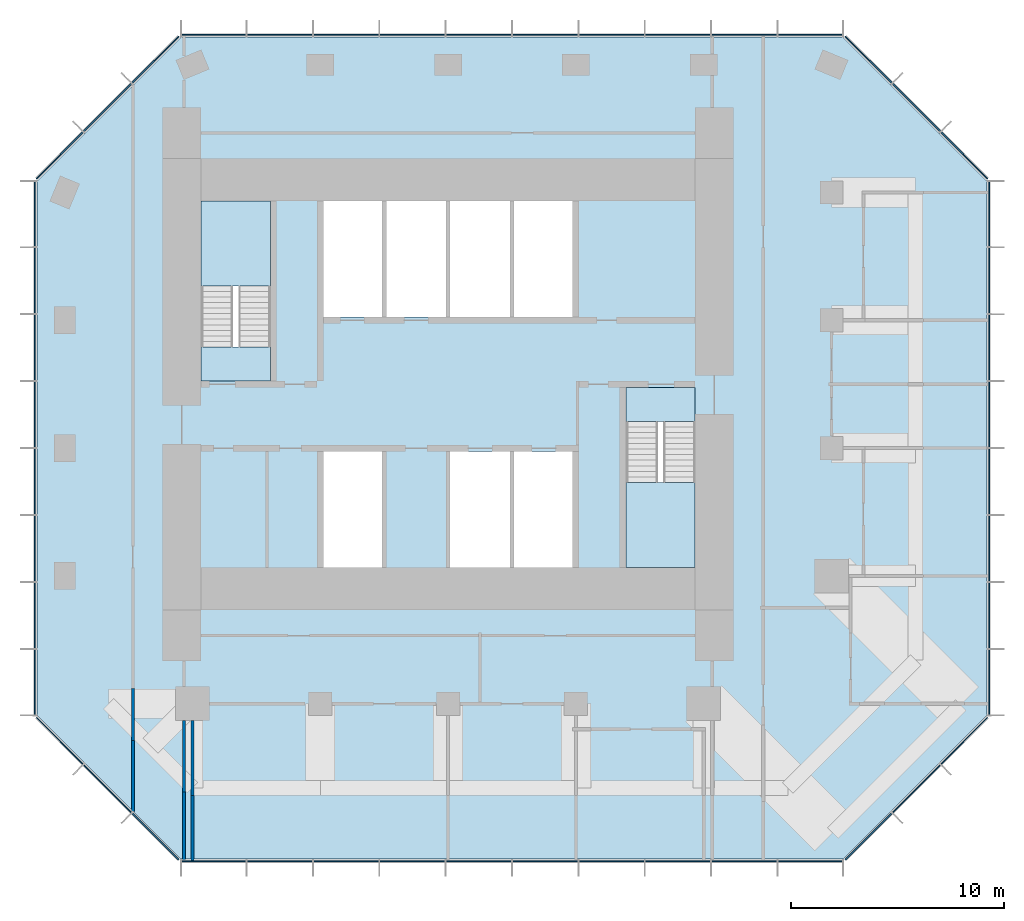
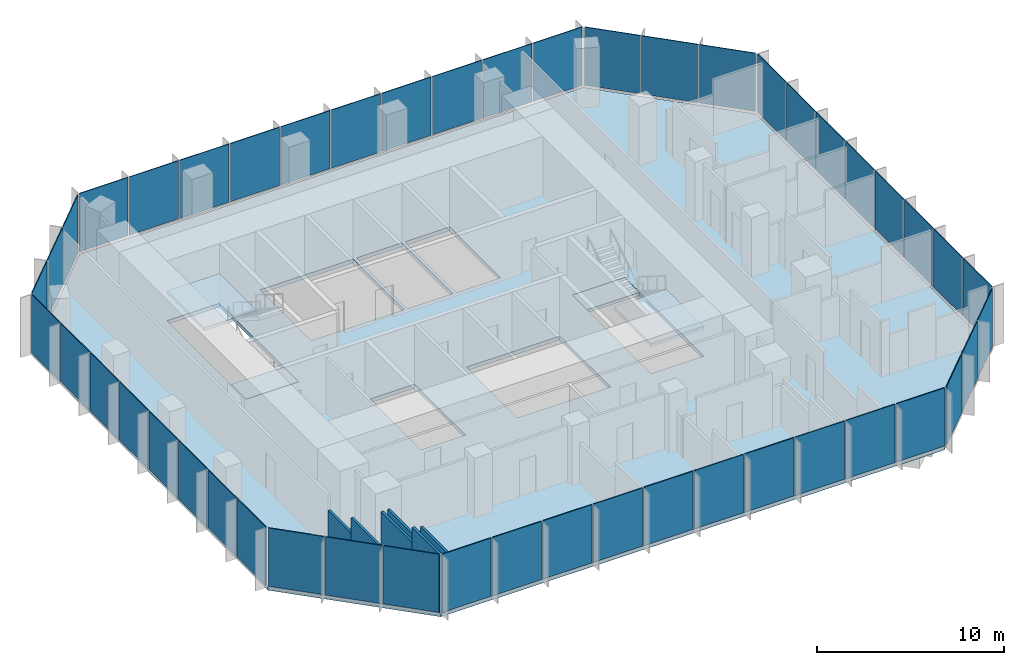
# One storey, part 7 of 11: 48 plates, 6 walls, 5 slabs, 10 elements without a shape of their own.
"""IFC4 building model written with IfcOpenShell, lengths in metres."""

from ifc_helpers import new_model, si_unit, direction, frame, frame_2d, origin, origin_2d, place, context, subcontext, project, spatial, polyline, rectangle, outline, extrude, material, layer, layer_set, type_object, element, aggregate, save


model = new_model("IFC4")

# Units and contexts
model_context = context("Model", 3, precision=1e-05, world=origin(), true_north=direction((0.0, 1.0)))
body_context = subcontext(model_context, "Body", "Model", "MODEL_VIEW")
ifc_project = project(units=[si_unit("LENGTHUNIT", "METRE"), si_unit("AREAUNIT", "SQUARE_METRE"), si_unit("VOLUMEUNIT", "CUBIC_METRE"), si_unit("PLANEANGLEUNIT", "RADIAN"), si_unit("MASSUNIT", "GRAM", prefix="KILO")], contexts=[model_context])

# Site, building, storey
site_placement = place(None, origin())
site = spatial("IfcSite", under=ifc_project, at=site_placement, CompositionType="ELEMENT")
building_placement = place(site_placement, origin())
building = spatial("IfcBuilding", under=site, at=building_placement, Name="Highveld Stack Headquarters", CompositionType="ELEMENT")
storey_placement = place(building_placement, frame((0.0, 0.0, 284.0)))
storey = spatial("IfcBuildingStorey", under=building, at=storey_placement, Name="L70", CompositionType="ELEMENT", Elevation=284.0)

# Curtain wall, plates
ifc_material_1 = material(Name="Aluminium bronze anodised", Category="aluminium")
ifc_layer_1 = layer(ifc_material_1, 0.199951171875)
ifc_layer_set_1 = layer_set([ifc_layer_1], Name="Aluminium bronze anodised")
curtain_wall_type = type_object("IfcCurtainWallType", Name="CW5 EXECUTIVE UNITISED CURTAIN WALL", PredefinedType="NOTDEFINED", material=ifc_layer_set_1)
curtain_wall_1_placement = place(storey_placement, origin())
curtain_wall_1 = element("IfcCurtainWall", 1, at=curtain_wall_1_placement, inside=storey, type_object=curtain_wall_type, Name="Curtain wall CW5 L70 S", PredefinedType="NOTDEFINED")
ifc_material_2 = material(Name="Glass bronze tinted triple glazed unit", Category="glass")
ifc_layer_2 = layer(ifc_material_2, 0.050048828125)
ifc_layer_set_2 = layer_set([ifc_layer_2], Name="Glass bronze tinted triple glazed unit")
plate_type = type_object("IfcPlateType", Name="CW5 PANEL BRONZE TINTED TRIPLE GLAZED UNIT", PredefinedType="CURTAIN_PANEL", material=ifc_layer_set_2)
plate_1_placement = place(storey_placement, frame((-5.005615234375, -19.39990234375, 0.10009765625), z_axis=(0.0, 0.0, 1.0), x_axis=(1.0, 0.0, 0.0)))
plate_1 = element("IfcPlate", 2, at=plate_1_placement, type_object=plate_type, Name="CW5 panel L70 1.1", PredefinedType="CURTAIN_PANEL", context=body_context, shape_type="SweptSolid", body=[
    extrude(rectangle(XDim=3.0185546875, YDim=0.050048828125, at=origin_2d()), origin(), (0.0, 0.0, 1.0), 3.800048828125),
])
plate_2_placement = place(storey_placement, frame((-1.906005859375, -19.39990234375, 0.10009765625), z_axis=(0.0, 0.0, 1.0), x_axis=(1.0, 0.0, 0.0)))
plate_2 = element("IfcPlate", 3, at=plate_2_placement, type_object=plate_type, Name="CW5 panel L70 2.1", PredefinedType="CURTAIN_PANEL", context=body_context, shape_type="SweptSolid", body=[
    extrude(rectangle(XDim=3.051025390625, YDim=0.050048828125, at=origin_2d()), origin(), (0.0, 0.0, 1.0), 3.800048828125),
])
plate_3_placement = place(storey_placement, frame((1.2099609375, -19.39990234375, 0.10009765625), z_axis=(0.0, 0.0, 1.0), x_axis=(1.0, 0.0, 0.0)))
plate_3 = element("IfcPlate", 4, at=plate_3_placement, type_object=plate_type, Name="CW5 panel L70 3.1", PredefinedType="CURTAIN_PANEL", context=body_context, shape_type="SweptSolid", body=[
    extrude(rectangle(XDim=3.051025390625, YDim=0.050048828125, at=origin_2d()), origin(), (0.0, 0.0, 1.0), 3.800048828125),
])
plate_4_placement = place(storey_placement, frame((4.325927734375, -19.39990234375, 0.10009765625), z_axis=(0.0, 0.0, 1.0), x_axis=(1.0, 0.0, 0.0)))
plate_4 = element("IfcPlate", 5, at=plate_4_placement, type_object=plate_type, Name="CW5 panel L70 4.1", PredefinedType="CURTAIN_PANEL", context=body_context, shape_type="SweptSolid", body=[
    extrude(rectangle(XDim=3.051025390625, YDim=0.050048828125, at=origin_2d()), origin(), (0.0, 0.0, 1.0), 3.800048828125),
])
plate_5_placement = place(storey_placement, frame((7.44189453125, -19.39990234375, 0.10009765625), z_axis=(0.0, 0.0, 1.0), x_axis=(1.0, 0.0, 0.0)))
plate_5 = element("IfcPlate", 6, at=plate_5_placement, type_object=plate_type, Name="CW5 panel L70 5.1", PredefinedType="CURTAIN_PANEL", context=body_context, shape_type="SweptSolid", body=[
    extrude(rectangle(XDim=3.051025390625, YDim=0.050048828125, at=origin_2d()), origin(), (0.0, 0.0, 1.0), 3.800048828125),
])
plate_6_placement = place(storey_placement, frame((10.55810546875, -19.39990234375, 0.10009765625), z_axis=(0.0, 0.0, 1.0), x_axis=(1.0, 0.0, 0.0)))
plate_6 = element("IfcPlate", 7, at=plate_6_placement, type_object=plate_type, Name="CW5 panel L70 6.1", PredefinedType="CURTAIN_PANEL", context=body_context, shape_type="SweptSolid", body=[
    extrude(rectangle(XDim=3.051025390625, YDim=0.050048828125, at=origin_2d()), origin(), (0.0, 0.0, 1.0), 3.800048828125),
])
plate_7_placement = place(storey_placement, frame((13.674072265625, -19.39990234375, 0.10009765625), z_axis=(0.0, 0.0, 1.0), x_axis=(1.0, 0.0, 0.0)))
plate_7 = element("IfcPlate", 8, at=plate_7_placement, type_object=plate_type, Name="CW5 panel L70 7.1", PredefinedType="CURTAIN_PANEL", context=body_context, shape_type="SweptSolid", body=[
    extrude(rectangle(XDim=3.051025390625, YDim=0.050048828125, at=origin_2d()), origin(), (0.0, 0.0, 1.0), 3.800048828125),
])
plate_8_placement = place(storey_placement, frame((16.789794921875, -19.39990234375, 0.10009765625), z_axis=(0.0, 0.0, 1.0), x_axis=(1.0, 0.0, 0.0)))
plate_8 = element("IfcPlate", 9, at=plate_8_placement, type_object=plate_type, Name="CW5 panel L70 8.1", PredefinedType="CURTAIN_PANEL", context=body_context, shape_type="SweptSolid", body=[
    extrude(rectangle(XDim=3.051025390625, YDim=0.050048828125, at=origin_2d()), origin(), (0.0, 0.0, 1.0), 3.800048828125),
])
plate_9_placement = place(storey_placement, frame((19.906005859375, -19.39990234375, 0.10009765625), z_axis=(0.0, 0.0, 1.0), x_axis=(1.0, 0.0, 0.0)))
plate_9 = element("IfcPlate", 10, at=plate_9_placement, type_object=plate_type, Name="CW5 panel L70 9.1", PredefinedType="CURTAIN_PANEL", context=body_context, shape_type="SweptSolid", body=[
    extrude(rectangle(XDim=3.051025390625, YDim=0.050048828125, at=origin_2d()), origin(), (0.0, 0.0, 1.0), 3.800048828125),
])
plate_10_placement = place(storey_placement, frame((23.005615234375, -19.39990234375, 0.10009765625), z_axis=(0.0, 0.0, 1.0), x_axis=(1.0, 0.0, 0.0)))
plate_10 = element("IfcPlate", 11, at=plate_10_placement, type_object=plate_type, Name="CW5 panel L70 10.1", PredefinedType="CURTAIN_PANEL", context=body_context, shape_type="SweptSolid", body=[
    extrude(rectangle(XDim=3.0185546875, YDim=0.050048828125, at=origin_2d()), origin(), (0.0, 0.0, 1.0), 3.800048828125),
])
aggregate(curtain_wall_1, [plate_1, plate_2, plate_3, plate_4, plate_5, plate_6, plate_7, plate_8, plate_9, plate_10])

curtain_wall_2_placement = place(storey_placement, origin())
curtain_wall_2 = element("IfcCurtainWall", 12, at=curtain_wall_2_placement, inside=storey, type_object=curtain_wall_type, Name="Curtain wall CW5 L70 SE", PredefinedType="NOTDEFINED")
plate_11_placement = place(storey_placement, frame((25.740478515625, -18.239501953125, 0.10009765625), z_axis=(0.0, 0.0, 1.0), x_axis=(0.707106781187, 0.707106781187, 0.0)))
plate_11 = element("IfcPlate", 13, at=plate_11_placement, type_object=plate_type, Name="CW5 panel L70 1.1", PredefinedType="CURTAIN_PANEL", context=body_context, shape_type="SweptSolid", body=[
    extrude(rectangle(XDim=3.08251953125, YDim=0.050048828125, at=origin_2d()), origin(), (0.0, 0.0, 1.0), 3.800048828125),
])
plate_12_placement = place(storey_placement, frame((27.989990234375, -15.989990234375, 0.10009765625), z_axis=(0.0, 0.0, 1.0), x_axis=(0.707106781187, 0.707106781187, 0.0)))
plate_12 = element("IfcPlate", 14, at=plate_12_placement, type_object=plate_type, Name="CW5 panel L70 2.1", PredefinedType="CURTAIN_PANEL", context=body_context, shape_type="SweptSolid", body=[
    extrude(rectangle(XDim=3.14990234375, YDim=0.050048828125, at=origin_2d()), origin(), (0.0, 0.0, 1.0), 3.800048828125),
])
plate_13_placement = place(storey_placement, frame((30.239501953125, -13.740478515625, 0.10009765625), z_axis=(0.0, 0.0, 1.0), x_axis=(0.707106781187, 0.707106781187, 0.0)))
plate_13 = element("IfcPlate", 15, at=plate_13_placement, type_object=plate_type, Name="CW5 panel L70 3.1", PredefinedType="CURTAIN_PANEL", context=body_context, shape_type="SweptSolid", body=[
    extrude(rectangle(XDim=3.08251953125, YDim=0.050048828125, at=origin_2d()), origin(), (0.0, 0.0, 1.0), 3.800048828125),
])
aggregate(curtain_wall_2, [plate_11, plate_12, plate_13])

curtain_wall_3_placement = place(storey_placement, origin())
curtain_wall_3 = element("IfcCurtainWall", 16, at=curtain_wall_3_placement, inside=storey, type_object=curtain_wall_type, Name="Curtain wall CW5 L70 E", PredefinedType="NOTDEFINED")
plate_14_placement = place(storey_placement, frame((31.39990234375, -10.9912109375, 0.10009765625), z_axis=(0.0, 0.0, 1.0), x_axis=(0.0, 1.0, 0.0)))
plate_14 = element("IfcPlate", 17, at=plate_14_placement, type_object=plate_type, Name="CW5 panel L70 1.1", PredefinedType="CURTAIN_PANEL", context=body_context, shape_type="SweptSolid", body=[
    extrude(rectangle(XDim=3.047607421875, YDim=0.050048828125, at=origin_2d()), origin(), (0.0, 0.0, 1.0), 3.800048828125),
])
plate_15_placement = place(storey_placement, frame((31.39990234375, -7.8623046875, 0.10009765625), z_axis=(0.0, 0.0, 1.0), x_axis=(0.0, 1.0, 0.0)))
plate_15 = element("IfcPlate", 18, at=plate_15_placement, type_object=plate_type, Name="CW5 panel L70 2.1", PredefinedType="CURTAIN_PANEL", context=body_context, shape_type="SweptSolid", body=[
    extrude(rectangle(XDim=3.080078125, YDim=0.050048828125, at=origin_2d()), origin(), (0.0, 0.0, 1.0), 3.800048828125),
])
plate_16_placement = place(storey_placement, frame((31.39990234375, -4.717529296875, 0.10009765625), z_axis=(0.0, 0.0, 1.0), x_axis=(0.0, 1.0, 0.0)))
plate_16 = element("IfcPlate", 19, at=plate_16_placement, type_object=plate_type, Name="CW5 panel L70 3.1", PredefinedType="CURTAIN_PANEL", context=body_context, shape_type="SweptSolid", body=[
    extrude(rectangle(XDim=3.080078125, YDim=0.050048828125, at=origin_2d()), origin(), (0.0, 0.0, 1.0), 3.800048828125),
])
plate_17_placement = place(storey_placement, frame((31.39990234375, -1.572509765625, 0.10009765625), z_axis=(0.0, 0.0, 1.0), x_axis=(0.0, 1.0, 0.0)))
plate_17 = element("IfcPlate", 20, at=plate_17_placement, type_object=plate_type, Name="CW5 panel L70 4.1", PredefinedType="CURTAIN_PANEL", context=body_context, shape_type="SweptSolid", body=[
    extrude(rectangle(XDim=3.080078125, YDim=0.050048828125, at=origin_2d()), origin(), (0.0, 0.0, 1.0), 3.800048828125),
])
plate_18_placement = place(storey_placement, frame((31.39990234375, 1.572509765625, 0.10009765625), z_axis=(0.0, 0.0, 1.0), x_axis=(0.0, 1.0, 0.0)))
plate_18 = element("IfcPlate", 21, at=plate_18_placement, type_object=plate_type, Name="CW5 panel L70 5.1", PredefinedType="CURTAIN_PANEL", context=body_context, shape_type="SweptSolid", body=[
    extrude(rectangle(XDim=3.080078125, YDim=0.050048828125, at=origin_2d()), origin(), (0.0, 0.0, 1.0), 3.800048828125),
])
plate_19_placement = place(storey_placement, frame((31.39990234375, 4.717529296875, 0.10009765625), z_axis=(0.0, 0.0, 1.0), x_axis=(0.0, 1.0, 0.0)))
plate_19 = element("IfcPlate", 22, at=plate_19_placement, type_object=plate_type, Name="CW5 panel L70 6.1", PredefinedType="CURTAIN_PANEL", context=body_context, shape_type="SweptSolid", body=[
    extrude(rectangle(XDim=3.080078125, YDim=0.050048828125, at=origin_2d()), origin(), (0.0, 0.0, 1.0), 3.800048828125),
])
plate_20_placement = place(storey_placement, frame((31.39990234375, 7.8623046875, 0.10009765625), z_axis=(0.0, 0.0, 1.0), x_axis=(0.0, 1.0, 0.0)))
plate_20 = element("IfcPlate", 23, at=plate_20_placement, type_object=plate_type, Name="CW5 panel L70 7.1", PredefinedType="CURTAIN_PANEL", context=body_context, shape_type="SweptSolid", body=[
    extrude(rectangle(XDim=3.080078125, YDim=0.050048828125, at=origin_2d()), origin(), (0.0, 0.0, 1.0), 3.800048828125),
])
plate_21_placement = place(storey_placement, frame((31.39990234375, 10.9912109375, 0.10009765625), z_axis=(0.0, 0.0, 1.0), x_axis=(0.0, 1.0, 0.0)))
plate_21 = element("IfcPlate", 24, at=plate_21_placement, type_object=plate_type, Name="CW5 panel L70 8.1", PredefinedType="CURTAIN_PANEL", context=body_context, shape_type="SweptSolid", body=[
    extrude(rectangle(XDim=3.047607421875, YDim=0.050048828125, at=origin_2d()), origin(), (0.0, 0.0, 1.0), 3.800048828125),
])
aggregate(curtain_wall_3, [plate_14, plate_15, plate_16, plate_17, plate_18, plate_19, plate_20, plate_21])

curtain_wall_4_placement = place(storey_placement, origin())
curtain_wall_4 = element("IfcCurtainWall", 25, at=curtain_wall_4_placement, inside=storey, type_object=curtain_wall_type, Name="Curtain wall CW5 L70 NE", PredefinedType="NOTDEFINED")
plate_22_placement = place(storey_placement, frame((30.239501953125, 13.740478515625, 0.10009765625), z_axis=(0.0, 0.0, 1.0), x_axis=(-0.707106781187, 0.707106781187, 0.0)))
plate_22 = element("IfcPlate", 26, at=plate_22_placement, type_object=plate_type, Name="CW5 panel L70 1.1", PredefinedType="CURTAIN_PANEL", context=body_context, shape_type="SweptSolid", body=[
    extrude(rectangle(XDim=3.08251953125, YDim=0.050048828125, at=origin_2d()), origin(), (0.0, 0.0, 1.0), 3.800048828125),
])
plate_23_placement = place(storey_placement, frame((27.989990234375, 15.989990234375, 0.10009765625), z_axis=(0.0, 0.0, 1.0), x_axis=(-0.707106781187, 0.707106781187, 0.0)))
plate_23 = element("IfcPlate", 27, at=plate_23_placement, type_object=plate_type, Name="CW5 panel L70 2.1", PredefinedType="CURTAIN_PANEL", context=body_context, shape_type="SweptSolid", body=[
    extrude(rectangle(XDim=3.14990234375, YDim=0.050048828125, at=origin_2d()), origin(), (0.0, 0.0, 1.0), 3.800048828125),
])
plate_24_placement = place(storey_placement, frame((25.740478515625, 18.239501953125, 0.10009765625), z_axis=(0.0, 0.0, 1.0), x_axis=(-0.707106781187, 0.707106781187, 0.0)))
plate_24 = element("IfcPlate", 28, at=plate_24_placement, type_object=plate_type, Name="CW5 panel L70 3.1", PredefinedType="CURTAIN_PANEL", context=body_context, shape_type="SweptSolid", body=[
    extrude(rectangle(XDim=3.08251953125, YDim=0.050048828125, at=origin_2d()), origin(), (0.0, 0.0, 1.0), 3.800048828125),
])
aggregate(curtain_wall_4, [plate_22, plate_23, plate_24])

curtain_wall_5_placement = place(storey_placement, origin())
curtain_wall_5 = element("IfcCurtainWall", 29, at=curtain_wall_5_placement, inside=storey, type_object=curtain_wall_type, Name="Curtain wall CW5 L70 N", PredefinedType="NOTDEFINED")
plate_25_placement = place(storey_placement, frame((23.005615234375, 19.39990234375, 0.10009765625), z_axis=(0.0, 0.0, 1.0), x_axis=(-1.0, 0.0, 0.0)))
plate_25 = element("IfcPlate", 30, at=plate_25_placement, type_object=plate_type, Name="CW5 panel L70 1.1", PredefinedType="CURTAIN_PANEL", context=body_context, shape_type="SweptSolid", body=[
    extrude(rectangle(XDim=3.0185546875, YDim=0.050048828125, at=origin_2d()), origin(), (0.0, 0.0, 1.0), 3.800048828125),
])
plate_26_placement = place(storey_placement, frame((19.906005859375, 19.39990234375, 0.10009765625), z_axis=(0.0, 0.0, 1.0), x_axis=(-1.0, 0.0, 0.0)))
plate_26 = element("IfcPlate", 31, at=plate_26_placement, type_object=plate_type, Name="CW5 panel L70 2.1", PredefinedType="CURTAIN_PANEL", context=body_context, shape_type="SweptSolid", body=[
    extrude(rectangle(XDim=3.051025390625, YDim=0.050048828125, at=origin_2d()), origin(), (0.0, 0.0, 1.0), 3.800048828125),
])
plate_27_placement = place(storey_placement, frame((16.7900390625, 19.39990234375, 0.10009765625), z_axis=(0.0, 0.0, 1.0), x_axis=(-1.0, 0.0, 0.0)))
plate_27 = element("IfcPlate", 32, at=plate_27_placement, type_object=plate_type, Name="CW5 panel L70 3.1", PredefinedType="CURTAIN_PANEL", context=body_context, shape_type="SweptSolid", body=[
    extrude(rectangle(XDim=3.051025390625, YDim=0.050048828125, at=origin_2d()), origin(), (0.0, 0.0, 1.0), 3.800048828125),
])
plate_28_placement = place(storey_placement, frame((13.674072265625, 19.39990234375, 0.10009765625), z_axis=(0.0, 0.0, 1.0), x_axis=(-1.0, 0.0, 0.0)))
plate_28 = element("IfcPlate", 33, at=plate_28_placement, type_object=plate_type, Name="CW5 panel L70 4.1", PredefinedType="CURTAIN_PANEL", context=body_context, shape_type="SweptSolid", body=[
    extrude(rectangle(XDim=3.051025390625, YDim=0.050048828125, at=origin_2d()), origin(), (0.0, 0.0, 1.0), 3.800048828125),
])
plate_29_placement = place(storey_placement, frame((10.55810546875, 19.39990234375, 0.10009765625), z_axis=(0.0, 0.0, 1.0), x_axis=(-1.0, 0.0, 0.0)))
plate_29 = element("IfcPlate", 34, at=plate_29_placement, type_object=plate_type, Name="CW5 panel L70 5.1", PredefinedType="CURTAIN_PANEL", context=body_context, shape_type="SweptSolid", body=[
    extrude(rectangle(XDim=3.051025390625, YDim=0.050048828125, at=origin_2d()), origin(), (0.0, 0.0, 1.0), 3.800048828125),
])
plate_30_placement = place(storey_placement, frame((7.44189453125, 19.39990234375, 0.10009765625), z_axis=(0.0, 0.0, 1.0), x_axis=(-1.0, 0.0, 0.0)))
plate_30 = element("IfcPlate", 35, at=plate_30_placement, type_object=plate_type, Name="CW5 panel L70 6.1", PredefinedType="CURTAIN_PANEL", context=body_context, shape_type="SweptSolid", body=[
    extrude(rectangle(XDim=3.051025390625, YDim=0.050048828125, at=origin_2d()), origin(), (0.0, 0.0, 1.0), 3.800048828125),
])
plate_31_placement = place(storey_placement, frame((4.325927734375, 19.39990234375, 0.10009765625), z_axis=(0.0, 0.0, 1.0), x_axis=(-1.0, 0.0, 0.0)))
plate_31 = element("IfcPlate", 36, at=plate_31_placement, type_object=plate_type, Name="CW5 panel L70 7.1", PredefinedType="CURTAIN_PANEL", context=body_context, shape_type="SweptSolid", body=[
    extrude(rectangle(XDim=3.051025390625, YDim=0.050048828125, at=origin_2d()), origin(), (0.0, 0.0, 1.0), 3.800048828125),
])
plate_32_placement = place(storey_placement, frame((1.210205078125, 19.39990234375, 0.10009765625), z_axis=(0.0, 0.0, 1.0), x_axis=(-1.0, 0.0, 0.0)))
plate_32 = element("IfcPlate", 37, at=plate_32_placement, type_object=plate_type, Name="CW5 panel L70 8.1", PredefinedType="CURTAIN_PANEL", context=body_context, shape_type="SweptSolid", body=[
    extrude(rectangle(XDim=3.051025390625, YDim=0.050048828125, at=origin_2d()), origin(), (0.0, 0.0, 1.0), 3.800048828125),
])
plate_33_placement = place(storey_placement, frame((-1.906005859375, 19.39990234375, 0.10009765625), z_axis=(0.0, 0.0, 1.0), x_axis=(-1.0, 0.0, 0.0)))
plate_33 = element("IfcPlate", 38, at=plate_33_placement, type_object=plate_type, Name="CW5 panel L70 9.1", PredefinedType="CURTAIN_PANEL", context=body_context, shape_type="SweptSolid", body=[
    extrude(rectangle(XDim=3.051025390625, YDim=0.050048828125, at=origin_2d()), origin(), (0.0, 0.0, 1.0), 3.800048828125),
])
plate_34_placement = place(storey_placement, frame((-5.005615234375, 19.39990234375, 0.10009765625), z_axis=(0.0, 0.0, 1.0), x_axis=(-1.0, 0.0, 0.0)))
plate_34 = element("IfcPlate", 39, at=plate_34_placement, type_object=plate_type, Name="CW5 panel L70 10.1", PredefinedType="CURTAIN_PANEL", context=body_context, shape_type="SweptSolid", body=[
    extrude(rectangle(XDim=3.0185546875, YDim=0.050048828125, at=origin_2d()), origin(), (0.0, 0.0, 1.0), 3.800048828125),
])
aggregate(curtain_wall_5, [plate_25, plate_26, plate_27, plate_28, plate_29, plate_30, plate_31, plate_32, plate_33, plate_34])

curtain_wall_6_placement = place(storey_placement, origin())
curtain_wall_6 = element("IfcCurtainWall", 40, at=curtain_wall_6_placement, inside=storey, type_object=curtain_wall_type, Name="Curtain wall CW5 L70 NW", PredefinedType="NOTDEFINED")
plate_35_placement = place(storey_placement, frame((-7.740478515625, 18.239501953125, 0.10009765625), z_axis=(0.0, 0.0, 1.0), x_axis=(-0.707106781187, -0.707106781187, 0.0)))
plate_35 = element("IfcPlate", 41, at=plate_35_placement, type_object=plate_type, Name="CW5 panel L70 1.1", PredefinedType="CURTAIN_PANEL", context=body_context, shape_type="SweptSolid", body=[
    extrude(rectangle(XDim=3.08251953125, YDim=0.050048828125, at=origin_2d()), origin(), (0.0, 0.0, 1.0), 3.800048828125),
])
plate_36_placement = place(storey_placement, frame((-9.989990234375, 15.989990234375, 0.10009765625), z_axis=(0.0, 0.0, 1.0), x_axis=(-0.707106781187, -0.707106781187, 0.0)))
plate_36 = element("IfcPlate", 42, at=plate_36_placement, type_object=plate_type, Name="CW5 panel L70 2.1", PredefinedType="CURTAIN_PANEL", context=body_context, shape_type="SweptSolid", body=[
    extrude(rectangle(XDim=3.14990234375, YDim=0.050048828125, at=origin_2d()), origin(), (0.0, 0.0, 1.0), 3.800048828125),
])
plate_37_placement = place(storey_placement, frame((-12.239501953125, 13.740478515625, 0.10009765625), z_axis=(0.0, 0.0, 1.0), x_axis=(-0.707106781187, -0.707106781187, 0.0)))
plate_37 = element("IfcPlate", 43, at=plate_37_placement, type_object=plate_type, Name="CW5 panel L70 3.1", PredefinedType="CURTAIN_PANEL", context=body_context, shape_type="SweptSolid", body=[
    extrude(rectangle(XDim=3.08251953125, YDim=0.050048828125, at=origin_2d()), origin(), (0.0, 0.0, 1.0), 3.800048828125),
])
aggregate(curtain_wall_6, [plate_35, plate_36, plate_37])

curtain_wall_7_placement = place(storey_placement, origin())
curtain_wall_7 = element("IfcCurtainWall", 44, at=curtain_wall_7_placement, inside=storey, type_object=curtain_wall_type, Name="Curtain wall CW5 L70 W", PredefinedType="NOTDEFINED")
plate_38_placement = place(storey_placement, frame((-13.39990234375, 10.9912109375, 0.10009765625), z_axis=(0.0, 0.0, 1.0), x_axis=(0.0, -1.0, 0.0)))
plate_38 = element("IfcPlate", 45, at=plate_38_placement, type_object=plate_type, Name="CW5 panel L70 1.1", PredefinedType="CURTAIN_PANEL", context=body_context, shape_type="SweptSolid", body=[
    extrude(rectangle(XDim=3.047607421875, YDim=0.050048828125, at=origin_2d()), origin(), (0.0, 0.0, 1.0), 3.800048828125),
])
plate_39_placement = place(storey_placement, frame((-13.39990234375, 7.8623046875, 0.10009765625), z_axis=(0.0, 0.0, 1.0), x_axis=(0.0, -1.0, 0.0)))
plate_39 = element("IfcPlate", 46, at=plate_39_placement, type_object=plate_type, Name="CW5 panel L70 2.1", PredefinedType="CURTAIN_PANEL", context=body_context, shape_type="SweptSolid", body=[
    extrude(rectangle(XDim=3.080078125, YDim=0.050048828125, at=origin_2d()), origin(), (0.0, 0.0, 1.0), 3.800048828125),
])
plate_40_placement = place(storey_placement, frame((-13.39990234375, 4.717529296875, 0.10009765625), z_axis=(0.0, 0.0, 1.0), x_axis=(0.0, -1.0, 0.0)))
plate_40 = element("IfcPlate", 47, at=plate_40_placement, type_object=plate_type, Name="CW5 panel L70 3.1", PredefinedType="CURTAIN_PANEL", context=body_context, shape_type="SweptSolid", body=[
    extrude(rectangle(XDim=3.080078125, YDim=0.050048828125, at=origin_2d()), origin(), (0.0, 0.0, 1.0), 3.800048828125),
])
plate_41_placement = place(storey_placement, frame((-13.39990234375, 1.572509765625, 0.10009765625), z_axis=(0.0, 0.0, 1.0), x_axis=(0.0, -1.0, 0.0)))
plate_41 = element("IfcPlate", 48, at=plate_41_placement, type_object=plate_type, Name="CW5 panel L70 4.1", PredefinedType="CURTAIN_PANEL", context=body_context, shape_type="SweptSolid", body=[
    extrude(rectangle(XDim=3.080078125, YDim=0.050048828125, at=origin_2d()), origin(), (0.0, 0.0, 1.0), 3.800048828125),
])
plate_42_placement = place(storey_placement, frame((-13.39990234375, -1.572509765625, 0.10009765625), z_axis=(0.0, 0.0, 1.0), x_axis=(0.0, -1.0, 0.0)))
plate_42 = element("IfcPlate", 49, at=plate_42_placement, type_object=plate_type, Name="CW5 panel L70 5.1", PredefinedType="CURTAIN_PANEL", context=body_context, shape_type="SweptSolid", body=[
    extrude(rectangle(XDim=3.080078125, YDim=0.050048828125, at=origin_2d()), origin(), (0.0, 0.0, 1.0), 3.800048828125),
])
plate_43_placement = place(storey_placement, frame((-13.39990234375, -4.717529296875, 0.10009765625), z_axis=(0.0, 0.0, 1.0), x_axis=(0.0, -1.0, 0.0)))
plate_43 = element("IfcPlate", 50, at=plate_43_placement, type_object=plate_type, Name="CW5 panel L70 6.1", PredefinedType="CURTAIN_PANEL", context=body_context, shape_type="SweptSolid", body=[
    extrude(rectangle(XDim=3.080078125, YDim=0.050048828125, at=origin_2d()), origin(), (0.0, 0.0, 1.0), 3.800048828125),
])
plate_44_placement = place(storey_placement, frame((-13.39990234375, -7.8623046875, 0.10009765625), z_axis=(0.0, 0.0, 1.0), x_axis=(0.0, -1.0, 0.0)))
plate_44 = element("IfcPlate", 51, at=plate_44_placement, type_object=plate_type, Name="CW5 panel L70 7.1", PredefinedType="CURTAIN_PANEL", context=body_context, shape_type="SweptSolid", body=[
    extrude(rectangle(XDim=3.080078125, YDim=0.050048828125, at=origin_2d()), origin(), (0.0, 0.0, 1.0), 3.800048828125),
])
plate_45_placement = place(storey_placement, frame((-13.39990234375, -10.9912109375, 0.10009765625), z_axis=(0.0, 0.0, 1.0), x_axis=(0.0, -1.0, 0.0)))
plate_45 = element("IfcPlate", 52, at=plate_45_placement, type_object=plate_type, Name="CW5 panel L70 8.1", PredefinedType="CURTAIN_PANEL", context=body_context, shape_type="SweptSolid", body=[
    extrude(rectangle(XDim=3.047607421875, YDim=0.050048828125, at=origin_2d()), origin(), (0.0, 0.0, 1.0), 3.800048828125),
])
aggregate(curtain_wall_7, [plate_38, plate_39, plate_40, plate_41, plate_42, plate_43, plate_44, plate_45])

curtain_wall_8_placement = place(storey_placement, origin())
curtain_wall_8 = element("IfcCurtainWall", 53, at=curtain_wall_8_placement, inside=storey, type_object=curtain_wall_type, Name="Curtain wall CW5 L70 SW", PredefinedType="NOTDEFINED")
plate_46_placement = place(storey_placement, frame((-12.239501953125, -13.740478515625, 0.10009765625), z_axis=(0.0, 0.0, 1.0), x_axis=(0.707106781187, -0.707106781187, 0.0)))
plate_46 = element("IfcPlate", 54, at=plate_46_placement, type_object=plate_type, Name="CW5 panel L70 1.1", PredefinedType="CURTAIN_PANEL", context=body_context, shape_type="SweptSolid", body=[
    extrude(rectangle(XDim=3.08251953125, YDim=0.050048828125, at=origin_2d()), origin(), (0.0, 0.0, 1.0), 3.800048828125),
])
plate_47_placement = place(storey_placement, frame((-9.989990234375, -15.989990234375, 0.10009765625), z_axis=(0.0, 0.0, 1.0), x_axis=(0.707106781187, -0.707106781187, 0.0)))
plate_47 = element("IfcPlate", 55, at=plate_47_placement, type_object=plate_type, Name="CW5 panel L70 2.1", PredefinedType="CURTAIN_PANEL", context=body_context, shape_type="SweptSolid", body=[
    extrude(rectangle(XDim=3.14990234375, YDim=0.050048828125, at=origin_2d()), origin(), (0.0, 0.0, 1.0), 3.800048828125),
])
plate_48_placement = place(storey_placement, frame((-7.740478515625, -18.239501953125, 0.10009765625), z_axis=(0.0, 0.0, 1.0), x_axis=(0.707106781187, -0.707106781187, 0.0)))
plate_48 = element("IfcPlate", 56, at=plate_48_placement, type_object=plate_type, Name="CW5 panel L70 3.1", PredefinedType="CURTAIN_PANEL", context=body_context, shape_type="SweptSolid", body=[
    extrude(rectangle(XDim=3.08251953125, YDim=0.050048828125, at=origin_2d()), origin(), (0.0, 0.0, 1.0), 3.800048828125),
])
aggregate(curtain_wall_8, [plate_46, plate_47, plate_48])

# Slab
ifc_material_3 = material(Name="Concrete C60/75", Category="concrete")
ifc_layer_3 = layer(ifc_material_3, 0.25)
ifc_layer_set_3 = layer_set([ifc_layer_3], Name="Concrete C60/75")
slab_type_1 = type_object("IfcSlabType", Name="PT FLAT SLAB 250", PredefinedType="FLOOR", material=ifc_layer_set_3)
slab_1_placement = place(storey_placement, frame((0.0, 0.0, -0.25)))
element("IfcSlab", 57, at=slab_1_placement, inside=storey, type_object=slab_type_1, Name="Floor slab L70", PredefinedType="FLOOR", context=body_context, shape_type="SweptSolid", body=[
    extrude(outline(polyline([(-6.53857421875, -19.300048828125), (24.53857421875, -19.300048828125), (31.300048828125, -12.53857421875), (31.300048828125, 12.53857421875), (24.53857421875, 19.300048828125), (-6.53857421875, 19.300048828125), (-13.300048828125, 12.53857421875), (-13.300048828125, -12.53857421875), (-6.53857421875, -19.300048828125)]), holes=[polyline([(0.14990234375, 6.14990234375), (5.89990234375, 6.14990234375), (5.89990234375, 11.60009765625), (0.14990234375, 11.60009765625), (0.14990234375, 6.14990234375)]), polyline([(9.10009765625, 6.14990234375), (11.85009765625, 6.14990234375), (11.85009765625, 11.60009765625), (9.10009765625, 11.60009765625), (9.10009765625, 6.14990234375)]), polyline([(6.10009765625, 6.14990234375), (8.89990234375, 6.14990234375), (8.89990234375, 11.60009765625), (6.10009765625, 11.60009765625), (6.10009765625, 6.14990234375)]), polyline([(6.10009765625, -5.60009765625), (11.85009765625, -5.60009765625), (11.85009765625, -0.14990234375), (6.10009765625, -0.14990234375), (6.10009765625, -5.60009765625)]), polyline([(0.14990234375, -5.60009765625), (2.89990234375, -5.60009765625), (2.89990234375, -0.14990234375), (0.14990234375, -0.14990234375), (0.14990234375, -5.60009765625)]), polyline([(-5.60009765625, 3.14990234375), (-2.35009765625, 3.14990234375), (-2.35009765625, 11.60009765625), (-5.60009765625, 11.60009765625), (-5.60009765625, 3.14990234375)]), polyline([(14.35009765625, -5.60009765625), (17.60009765625, -5.60009765625), (17.60009765625, 2.85009765625), (14.35009765625, 2.85009765625), (14.35009765625, -5.60009765625)])]), origin(), (0.0, 0.0, 1.0), 0.25),
])

# Stair, slabs
ifc_material_4 = material(Name="Concrete C40/50, precast", Category="concrete")
stair_type_1 = type_object("IfcStairType", Name="STAIR S1 HALF TURN 1500", PredefinedType="HALF_TURN_STAIR", material=ifc_material_4)
stair_1_placement = place(storey_placement, origin())
stair_1 = element("IfcStair", 58, at=stair_1_placement, inside=storey, type_object=stair_type_1, Name="Stair S1 L70", PredefinedType="HALF_TURN_STAIR")
ifc_material_5 = material(Name="Concrete C40/50, precast", Category="concrete")
ifc_layer_4 = layer(ifc_material_5, 0.199951171875)
ifc_layer_set_4 = layer_set([ifc_layer_4], Name="Concrete C40/50, precast")
slab_type_2 = type_object("IfcSlabType", Name="STAIR LANDING 200", PredefinedType="LANDING", material=ifc_layer_set_4)
slab_2_placement = place(storey_placement, frame((0.0, 0.0, 1.75)))
slab_2 = element("IfcSlab", 59, at=slab_2_placement, type_object=slab_type_2, Name="S1 landing 1", PredefinedType="LANDING", context=body_context, shape_type="SweptSolid", body=[
    extrude(outline(polyline([(-5.60009765625, 7.610107421875), (-2.35009765625, 7.610107421875), (-2.35009765625, 11.60009765625), (-5.60009765625, 11.60009765625), (-5.60009765625, 7.610107421875)])), origin(), (0.0, 0.0, 1.0), 0.199951171875),
])
slab_3_placement = place(storey_placement, frame((0.0, 0.0, -0.199951171875)))
slab_3 = element("IfcSlab", 60, at=slab_3_placement, type_object=slab_type_2, Name="S1 landing 2", PredefinedType="LANDING", context=body_context, shape_type="SweptSolid", body=[
    extrude(outline(polyline([(-5.60009765625, 3.14990234375), (-2.35009765625, 3.14990234375), (-2.35009765625, 4.75), (-5.60009765625, 4.75), (-5.60009765625, 3.14990234375)])), origin(), (0.0, 0.0, 1.0), 0.199951171875),
])
aggregate(stair_1, [slab_2, slab_3])

ifc_material_6 = material(Name="Concrete C40/50, precast", Category="concrete")
stair_type_2 = type_object("IfcStairType", Name="STAIR S2 HALF TURN 1500", PredefinedType="HALF_TURN_STAIR", material=ifc_material_6)
stair_2_placement = place(storey_placement, origin())
stair_2 = element("IfcStair", 61, at=stair_2_placement, inside=storey, type_object=stair_type_2, Name="Stair S2 L70", PredefinedType="HALF_TURN_STAIR")
slab_4_placement = place(storey_placement, frame((0.0, 0.0, 1.75)))
slab_4 = element("IfcSlab", 62, at=slab_4_placement, type_object=slab_type_2, Name="S2 landing 1", PredefinedType="LANDING", context=body_context, shape_type="SweptSolid", body=[
    extrude(outline(polyline([(14.35009765625, -5.60009765625), (17.60009765625, -5.60009765625), (17.60009765625, -1.610107421875), (14.35009765625, -1.610107421875), (14.35009765625, -5.60009765625)])), origin(), (0.0, 0.0, 1.0), 0.199951171875),
])
slab_5_placement = place(storey_placement, frame((0.0, 0.0, -0.199951171875)))
slab_5 = element("IfcSlab", 63, at=slab_5_placement, type_object=slab_type_2, Name="S2 landing 2", PredefinedType="LANDING", context=body_context, shape_type="SweptSolid", body=[
    extrude(outline(polyline([(14.35009765625, 1.25), (17.60009765625, 1.25), (17.60009765625, 2.85009765625), (14.35009765625, 2.85009765625), (14.35009765625, 1.25)])), origin(), (0.0, 0.0, 1.0), 0.199951171875),
])
aggregate(stair_2, [slab_4, slab_5])

# Walls
ifc_material_7 = material(Name="Gypsum plasterboard on steel studs", Category="steel")
ifc_layer_5 = layer(ifc_material_7, 0.14990234375)
ifc_layer_set_5 = layer_set([ifc_layer_5], Name="Gypsum plasterboard on steel studs")
wall_type = type_object("IfcWallType", Name="PARTITION 150 PLASTERBOARD", PredefinedType="PARTITIONING", material=ifc_layer_set_5)
wall_1_placement = place(storey_placement, frame((-6.0, -19.375, 0.0), z_axis=(0.0, 0.0, 1.0), x_axis=(0.0, 1.0, 0.0)))
element("IfcWall", 64, at=wall_1_placement, inside=storey, type_object=wall_type, Name="Partition Executive meeting room L70", PredefinedType="PARTITIONING", context=body_context, shape_type="SweptSolid", body=[
    extrude(rectangle(XDim=3.06494140625, YDim=0.14990234375, at=frame_2d((1.532470703125, 0.0))), origin(), (0.0, 0.0, 1.0), 3.64990234375),
])
wall_2_placement = place(storey_placement, frame((-6.0, -16.31005859375, 0.0), z_axis=(0.0, 0.0, 1.0), x_axis=(0.0, 1.0, 0.0)))
element("IfcWall", 65, at=wall_2_placement, inside=storey, type_object=wall_type, Name="Partition Executive meeting room L70", PredefinedType="PARTITIONING", context=body_context, shape_type="SweptSolid", body=[
    extrude(rectangle(XDim=3.510009765625, YDim=0.14990234375, at=frame_2d((1.7548828125, 0.0))), origin(), (0.0, 0.0, 1.0), 2.64990234375),
])
wall_3_placement = place(storey_placement, frame((-8.800048828125, -17.06298828125, 0.0), z_axis=(0.0, 0.0, 1.0), x_axis=(0.0, 1.0, 0.0)))
element("IfcWall", 66, at=wall_3_placement, inside=storey, type_object=wall_type, Name="Partition office neighbourhood L70", PredefinedType="PARTITIONING", context=body_context, shape_type="SweptSolid", body=[
    extrude(rectangle(XDim=3.322998046875, YDim=0.14990234375, at=frame_2d((1.66162109375, 0.0))), origin(), (0.0, 0.0, 1.0), 3.64990234375),
])
wall_4_placement = place(storey_placement, frame((-8.800048828125, -13.739990234375, 0.0), z_axis=(0.0, 0.0, 1.0), x_axis=(0.0, 1.0, 0.0)))
element("IfcWall", 67, at=wall_4_placement, inside=storey, type_object=wall_type, Name="Partition office neighbourhood L70", PredefinedType="PARTITIONING", context=body_context, shape_type="SweptSolid", body=[
    extrude(rectangle(XDim=2.449951171875, YDim=0.14990234375, at=frame_2d((1.22509765625, 0.0))), origin(), (0.0, 0.0, 1.0), 2.64990234375),
])
wall_5_placement = place(storey_placement, frame((-6.39990234375, -19.375, 0.0), z_axis=(0.0, 0.0, 1.0), x_axis=(0.0, 1.0, 0.0)))
element("IfcWall", 68, at=wall_5_placement, inside=storey, type_object=wall_type, Name="Partition office neighbourhood L70", PredefinedType="PARTITIONING", context=body_context, shape_type="SweptSolid", body=[
    extrude(rectangle(XDim=3.235107421875, YDim=0.14990234375, at=frame_2d((1.61767578125, 0.0))), origin(), (0.0, 0.0, 1.0), 3.64990234375),
])
wall_6_placement = place(storey_placement, frame((-6.39990234375, -16.139892578125, 0.0), z_axis=(0.0, 0.0, 1.0), x_axis=(0.0, 1.0, 0.0)))
element("IfcWall", 69, at=wall_6_placement, inside=storey, type_object=wall_type, Name="Partition office neighbourhood L70", PredefinedType="PARTITIONING", context=body_context, shape_type="SweptSolid", body=[
    extrude(rectangle(XDim=3.33984375, YDim=0.14990234375, at=frame_2d((1.669921875, 0.0))), origin(), (0.0, 0.0, 1.0), 2.64990234375),
])

save(model, "model.ifc")
